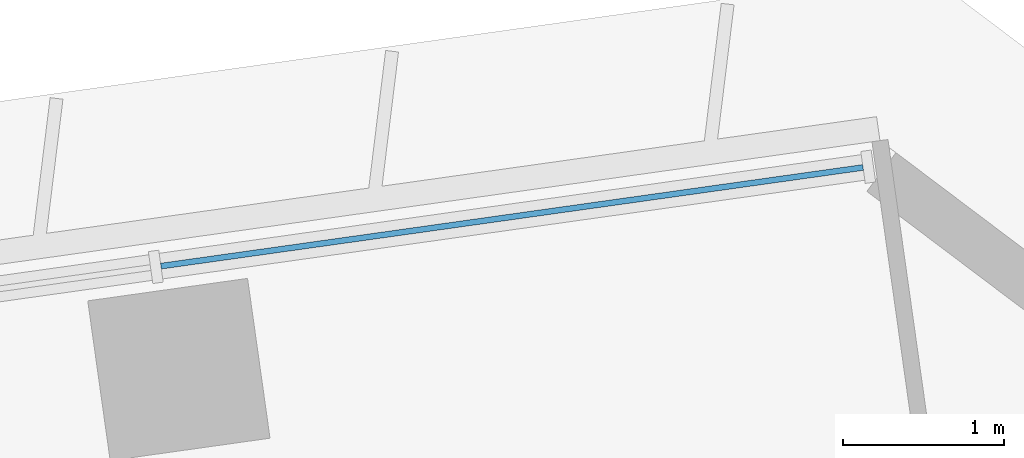
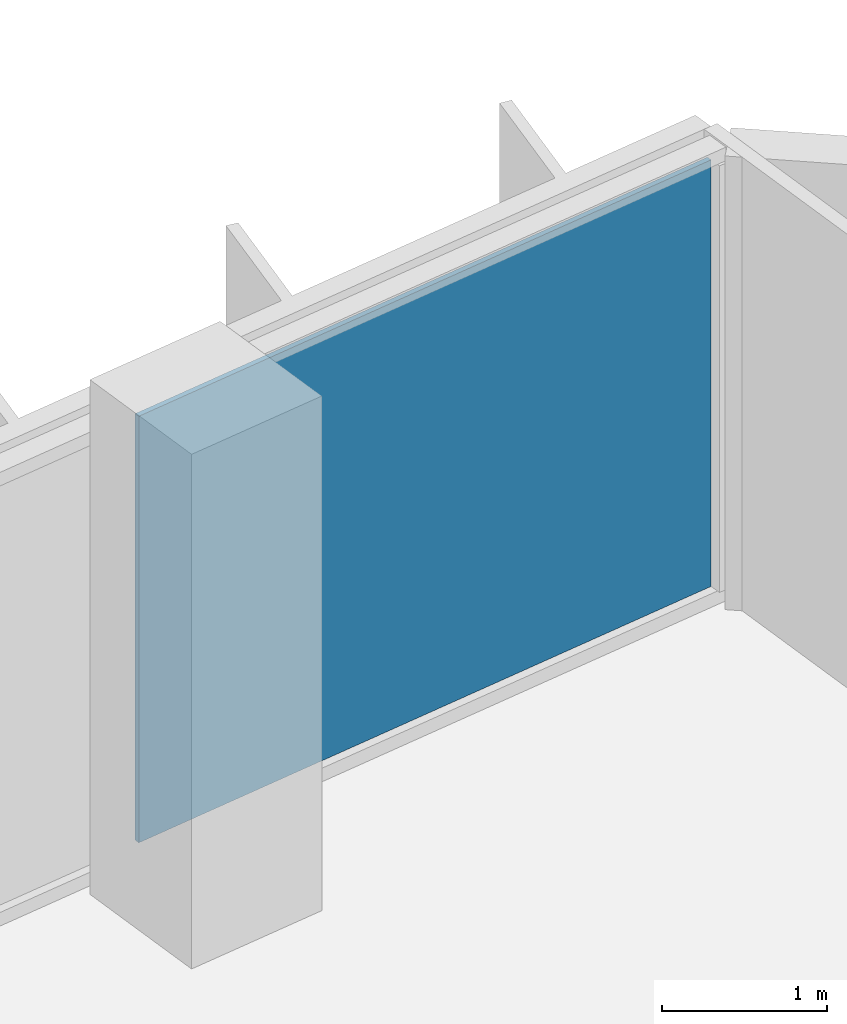
# One storey, part 13 of 25: 1 plate, 1 element without a shape of its own.
"""IFC4 building model written with IfcOpenShell, lengths in metres."""

from ifc_helpers import new_model, si_unit, direction, frame, origin, origin_2d, place, context, subcontext, project, spatial, rectangle, extrude, material, layer, layer_set, type_object, element, aggregate, save


model = new_model("IFC4")

# Units and contexts
model_context = context("Model", 3, precision=1e-05, world=origin(), true_north=direction((0.0, 1.0)))
body_context = subcontext(model_context, "Body", "Model", "MODEL_VIEW")
ifc_project = project(units=[si_unit("LENGTHUNIT", "METRE"), si_unit("AREAUNIT", "SQUARE_METRE"), si_unit("VOLUMEUNIT", "CUBIC_METRE"), si_unit("PLANEANGLEUNIT", "RADIAN"), si_unit("MASSUNIT", "GRAM", prefix="KILO")], contexts=[model_context])

# Site, building, storey
site_placement = place(None, origin())
site = spatial("IfcSite", under=ifc_project, at=site_placement, CompositionType="ELEMENT")
building_placement = place(site_placement, origin())
building = spatial("IfcBuilding", under=site, at=building_placement, Name="Mirante Cascada Hotel Towers", CompositionType="ELEMENT")
storey_placement = place(building_placement, frame((0.0, 0.0, 73.7)))
storey = spatial("IfcBuildingStorey", under=building, at=storey_placement, Name="L15", CompositionType="ELEMENT", Elevation=73.7)

# Curtain wall, plate
ifc_material_1 = material(Name="Aluminium mullion and transom frame with clear laminated glass", Category="aluminium")
curtain_wall_type = type_object("IfcCurtainWallType", Name="Ribbon curtain wall ECW1", PredefinedType="NOTDEFINED", material=ifc_material_1)
curtain_wall_placement = place(storey_placement, origin())
curtain_wall = element("IfcCurtainWall", 1, at=curtain_wall_placement, inside=storey, type_object=curtain_wall_type, Name="Front ribbon wall T2 L15", PredefinedType="NOTDEFINED")
ifc_material_2 = material(Name="Clear laminated glass", Category="glass")
ifc_layer = layer(ifc_material_2, 0.036)
ifc_layer_set = layer_set([ifc_layer], Name="ECW1 glass panel 36")
plate_type = type_object("IfcPlateType", Name="ECW1 glass panel 36", PredefinedType="CURTAIN_PANEL", material=ifc_layer_set)
plate_placement = place(storey_placement, frame((91.9184, 25.7373, 0.1), z_axis=(0.0, 0.0, 1.0), x_axis=(-0.9902681, -0.1391731, 0.0)))
plate = element("IfcPlate", 2, at=plate_placement, type_object=plate_type, Name="ECW1 panel 1", PredefinedType="CURTAIN_PANEL", context=body_context, shape_type="SweptSolid", body=[
    extrude(rectangle(XDim=4.3936, YDim=0.036, at=origin_2d()), origin(), (0.0, 0.0, 1.0), 3.15),
])
aggregate(curtain_wall, [plate])

save(model, "model.ifc")
